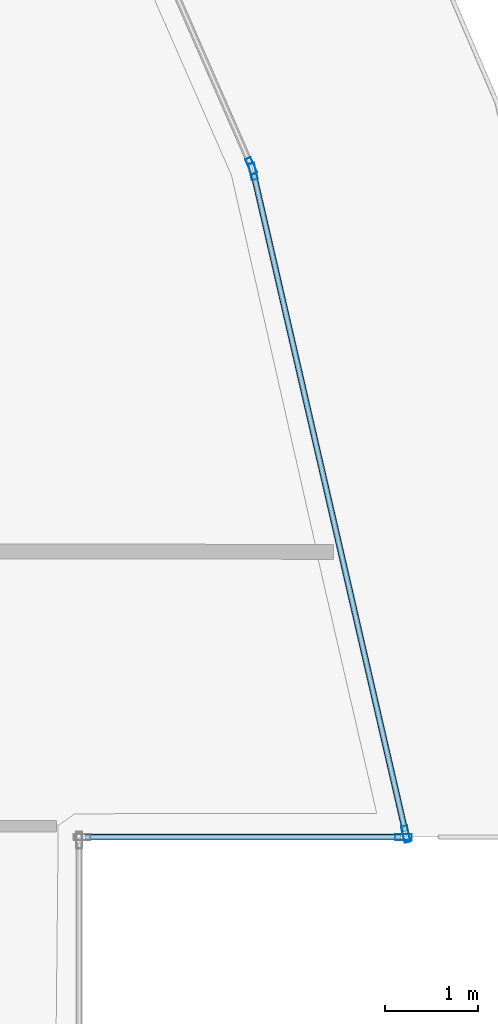
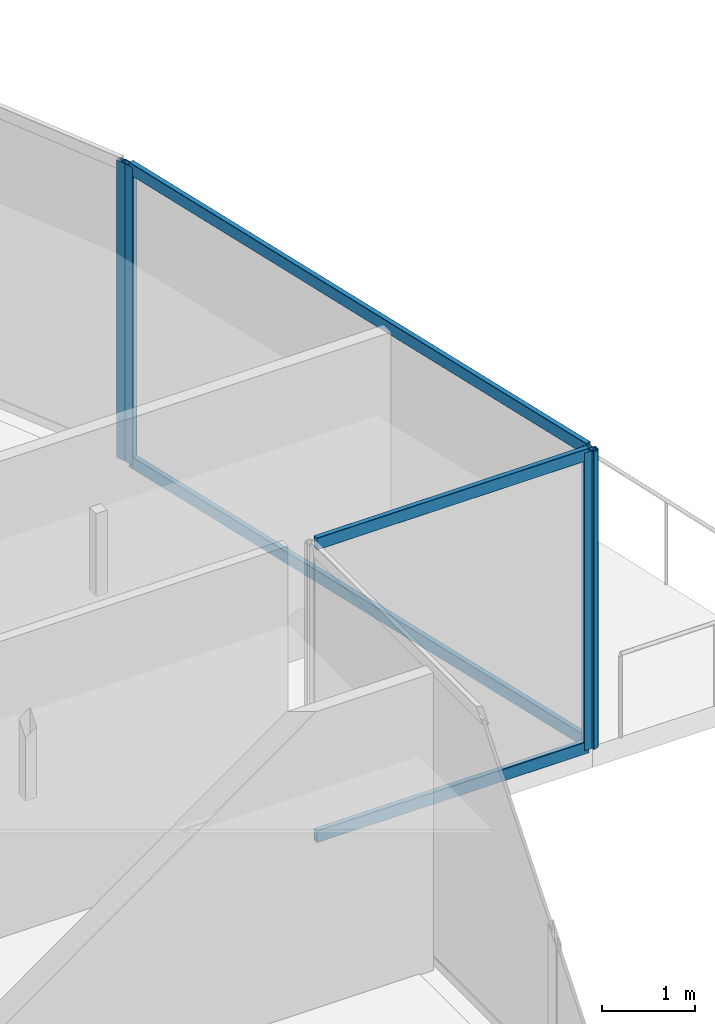
# One storey, part 31 of 52: 8 members, 3 elements without a shape of their own.
"""IFC4 building model written with IfcOpenShell, lengths in metres."""

from ifc_helpers import new_model, si_unit, direction, frame, origin, origin_2d, place, context, subcontext, project, spatial, hollow_rectangle, extrude, material, layer, layer_set, material_profile, profile_set, type_object, element, aggregate, save


model = new_model("IFC4")

# Units and contexts
model_context = context("Model", 3, precision=1e-05, world=origin(), true_north=direction((0.0, 1.0)))
body_context = subcontext(model_context, "Body", "Model", "MODEL_VIEW")
ifc_project = project(units=[si_unit("LENGTHUNIT", "METRE"), si_unit("AREAUNIT", "SQUARE_METRE"), si_unit("VOLUMEUNIT", "CUBIC_METRE"), si_unit("PLANEANGLEUNIT", "RADIAN"), si_unit("MASSUNIT", "GRAM", prefix="KILO")], contexts=[model_context])

# Site, building, storey
site_placement = place(None, origin())
site = spatial("IfcSite", under=ifc_project, at=site_placement, CompositionType="ELEMENT")
building_placement = place(site_placement, origin())
building = spatial("IfcBuilding", under=site, at=building_placement, Name="Qorvath Tower", CompositionType="ELEMENT")
storey_placement = place(building_placement, frame((0.0, 0.0, 61.800048828125)))
storey = spatial("IfcBuildingStorey", under=building, at=storey_placement, Name="L13", CompositionType="ELEMENT", Elevation=61.800048828125)

# Curtain wall, member
ifc_material_1 = material(Name="Anodised aluminium and triple low-E glass", Category="aluminium")
ifc_layer = layer(ifc_material_1, 0.179931640625)
ifc_layer_set = layer_set([ifc_layer], Name="CW-SYS-2")
curtain_wall_type = type_object("IfcCurtainWallType", Name="CW-SYS-2", PredefinedType="NOTDEFINED", material=ifc_layer_set)
curtain_wall_1_placement = place(storey_placement, origin())
curtain_wall_1 = element("IfcCurtainWall", 1, at=curtain_wall_1_placement, inside=storey, type_object=curtain_wall_type, Name="Curtain Wall CW-2 CW-T-L13-10.1", PredefinedType="NOTDEFINED")
ifc_material_2 = material(Name="Anodised aluminium 6063-T6", Category="aluminium")
ifc_material_profile_1 = material_profile(ifc_material_2, hollow_rectangle(XDim=0.06494140625, YDim=0.179931640625, WallThickness=0.00341796875, InnerFilletRadius=0.00341796875, OuterFilletRadius=0.007080078125, at=origin_2d()), Name="CWM 180x65")
ifc_profile_set_1 = profile_set([ifc_material_profile_1], Name="Anodised aluminium 6063-T6")
member_type_1 = type_object("IfcMemberType", Name="CWM-180", PredefinedType="MULLION", material=ifc_profile_set_1)
member_1_placement = place(storey_placement, frame((6.700439453125, 5.2705078125, 0.0), z_axis=(0.0, 0.0, 1.0), x_axis=(0.0, 1.0, 0.0)))
member_1 = element("IfcMember", 2, at=member_1_placement, type_object=member_type_1, Name="CW-2 mullion 2", PredefinedType="MULLION", context=body_context, shape_type="SweptSolid", body=[
    extrude(hollow_rectangle(XDim=0.06494140625, YDim=0.179931640625, WallThickness=0.00341796875, InnerFilletRadius=0.00341796875, OuterFilletRadius=0.007080078125, at=origin_2d()), origin(), (0.0, 0.0, 1.0), 3.919921875),
])

# Curtain wall, members
curtain_wall_2_placement = place(storey_placement, origin())
curtain_wall_2 = element("IfcCurtainWall", 3, at=curtain_wall_2_placement, inside=storey, type_object=curtain_wall_type, Name="Curtain Wall CW-2 CW-T-L13-11.1", PredefinedType="NOTDEFINED")
member_2_placement = place(storey_placement, frame((6.7255859375, 5.30224609375, 0.0), z_axis=(0.0, 0.0, 1.0), x_axis=(-0.974426885424, -0.224704795149, 0.0)))
member_2 = element("IfcMember", 4, at=member_2_placement, type_object=member_type_1, Name="CW-2 mullion 1", PredefinedType="MULLION", context=body_context, shape_type="SweptSolid", body=[
    extrude(hollow_rectangle(XDim=0.06494140625, YDim=0.179931640625, WallThickness=0.00341796875, InnerFilletRadius=0.00341796875, OuterFilletRadius=0.007080078125, at=origin_2d()), origin(), (0.0, 0.0, 1.0), 3.919921875),
])
member_3_placement = place(storey_placement, frame((5.08544921875, 12.414794921875, 0.0), z_axis=(0.0, 0.0, 1.0), x_axis=(-0.974426885424, -0.224704795149, 0.0)))
member_3 = element("IfcMember", 5, at=member_3_placement, type_object=member_type_1, Name="CW-2 mullion 2", PredefinedType="MULLION", context=body_context, shape_type="SweptSolid", body=[
    extrude(hollow_rectangle(XDim=0.06494140625, YDim=0.179931640625, WallThickness=0.00341796875, InnerFilletRadius=0.00341796875, OuterFilletRadius=0.007080078125, at=origin_2d()), origin(), (0.0, 0.0, 1.0), 3.919921875),
])

# Curtain wall, member
curtain_wall_3_placement = place(storey_placement, origin())
curtain_wall_3 = element("IfcCurtainWall", 6, at=curtain_wall_3_placement, inside=storey, type_object=curtain_wall_type, Name="Curtain Wall CW-2 CW-T-L13-12.1", PredefinedType="NOTDEFINED")
member_4_placement = place(storey_placement, frame((5.06494140625, 12.476318359375, 0.0), z_axis=(0.0, 0.0, 1.0), x_axis=(-0.915962762712, -0.40126327682, 0.0)))
member_4 = element("IfcMember", 7, at=member_4_placement, type_object=member_type_1, Name="CW-2 mullion 1", PredefinedType="MULLION", context=body_context, shape_type="SweptSolid", body=[
    extrude(hollow_rectangle(XDim=0.06494140625, YDim=0.179931640625, WallThickness=0.00341796875, InnerFilletRadius=0.00341796875, OuterFilletRadius=0.007080078125, at=origin_2d()), origin(), (0.0, 0.0, 1.0), 3.919921875),
])
aggregate(curtain_wall_3, [member_4])

# Member
ifc_material_3 = material(Name="Anodised aluminium 6063-T6", Category="aluminium")
ifc_material_profile_2 = material_profile(ifc_material_3, hollow_rectangle(XDim=0.06494140625, YDim=0.159912109375, WallThickness=0.00341796875, InnerFilletRadius=0.00341796875, OuterFilletRadius=0.007080078125, at=origin_2d()), Name="CWT 160x65")
ifc_profile_set_2 = profile_set([ifc_material_profile_2], Name="Anodised aluminium 6063-T6")
member_type_2 = type_object("IfcMemberType", Name="CWT-160", PredefinedType="USERDEFINED", material=ifc_profile_set_2)
member_5_placement = place(storey_placement, frame((3.284423828125, 5.2705078125, 0.032470703125), z_axis=(1.0, 0.0, 0.0), x_axis=(0.0, 1.0, 0.0)))
member_5 = element("IfcMember", 8, at=member_5_placement, type_object=member_type_2, Name="CW-2 transom 1.1", ObjectType="TRANSOM", PredefinedType="USERDEFINED", context=body_context, shape_type="SweptSolid", body=[
    extrude(hollow_rectangle(XDim=0.06494140625, YDim=0.159912109375, WallThickness=0.00341796875, InnerFilletRadius=0.00341796875, OuterFilletRadius=0.007080078125, at=origin_2d()), origin(), (0.0, 0.0, 1.0), 3.383544921875),
])

member_6_placement = place(storey_placement, frame((3.284423828125, 5.2705078125, 3.887451171875), z_axis=(1.0, 0.0, 0.0), x_axis=(0.0, 1.0, 0.0)))
member_6 = element("IfcMember", 9, at=member_6_placement, type_object=member_type_2, Name="CW-2 transom 1.2", ObjectType="TRANSOM", PredefinedType="USERDEFINED", context=body_context, shape_type="SweptSolid", body=[
    extrude(hollow_rectangle(XDim=0.06494140625, YDim=0.159912109375, WallThickness=0.00341796875, InnerFilletRadius=0.00341796875, OuterFilletRadius=0.007080078125, at=origin_2d()), origin(), (0.0, 0.0, 1.0), 3.383544921875),
])

aggregate(curtain_wall_1, [member_1, member_5, member_6])

member_7_placement = place(storey_placement, frame((6.71826171875, 5.333740234375, 0.032470703125), z_axis=(-0.224691902647, 0.974429858371, 0.0), x_axis=(-0.974429858371, -0.224691902647, 0.0)))
member_7 = element("IfcMember", 10, at=member_7_placement, type_object=member_type_2, Name="CW-2 transom 1.1", ObjectType="TRANSOM", PredefinedType="USERDEFINED", context=body_context, shape_type="SweptSolid", body=[
    extrude(hollow_rectangle(XDim=0.06494140625, YDim=0.159912109375, WallThickness=0.00341796875, InnerFilletRadius=0.00341796875, OuterFilletRadius=0.007080078125, at=origin_2d()), origin(), (0.0, 0.0, 1.0), 7.234375),
])

member_8_placement = place(storey_placement, frame((6.71826171875, 5.333740234375, 3.887451171875), z_axis=(-0.224691902647, 0.974429858371, 0.0), x_axis=(-0.974429858371, -0.224691902647, 0.0)))
member_8 = element("IfcMember", 11, at=member_8_placement, type_object=member_type_2, Name="CW-2 transom 1.2", ObjectType="TRANSOM", PredefinedType="USERDEFINED", context=body_context, shape_type="SweptSolid", body=[
    extrude(hollow_rectangle(XDim=0.06494140625, YDim=0.159912109375, WallThickness=0.00341796875, InnerFilletRadius=0.00341796875, OuterFilletRadius=0.007080078125, at=origin_2d()), origin(), (0.0, 0.0, 1.0), 7.234375),
])

aggregate(curtain_wall_2, [member_2, member_3, member_7, member_8])

save(model, "model.ifc")
